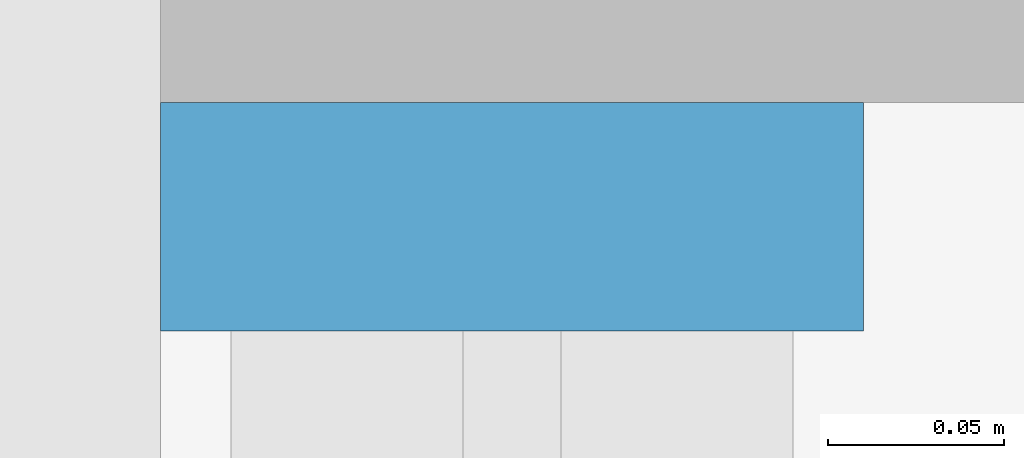
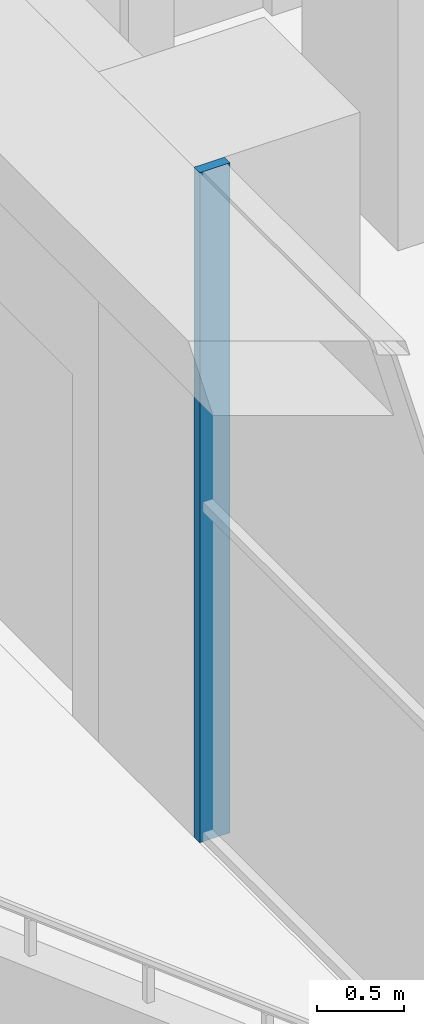
# One storey, part 5 of 16: 1 member, 1 element without a shape of its own.
"""IFC4 building model written with IfcOpenShell, lengths in metres."""

from ifc_helpers import new_model, si_unit, direction, frame, origin, origin_2d, place, context, subcontext, project, spatial, rectangle, extrude, material, material_profile, profile_set, type_object, element, aggregate, save


model = new_model("IFC4")

# Units and contexts
model_context = context("Model", 3, precision=1e-05, world=origin(), true_north=direction((0.0, 1.0)))
body_context = subcontext(model_context, "Body", "Model", "MODEL_VIEW")
ifc_project = project(units=[si_unit("LENGTHUNIT", "METRE"), si_unit("AREAUNIT", "SQUARE_METRE"), si_unit("VOLUMEUNIT", "CUBIC_METRE"), si_unit("PLANEANGLEUNIT", "RADIAN"), si_unit("MASSUNIT", "GRAM", prefix="KILO")], contexts=[model_context])

# Site, building, storey
site_placement = place(None, origin())
site = spatial("IfcSite", under=ifc_project, at=site_placement, CompositionType="ELEMENT")
building_placement = place(site_placement, origin())
building = spatial("IfcBuilding", under=site, at=building_placement, Name="Orbiselva Terraces", CompositionType="ELEMENT")
storey_placement = place(building_placement, frame((0.0, 0.0, 174.4)))
storey = spatial("IfcBuildingStorey", under=building, at=storey_placement, Name="L44", CompositionType="ELEMENT", Elevation=174.4)

# Curtain wall, member
ifc_material_1 = material(Name="Clear low-e glazing in aluminium frame", Category="aluminium")
curtain_wall_type = type_object("IfcCurtainWallType", Name="ENV-CW-SKY", PredefinedType="NOTDEFINED", material=ifc_material_1)
curtain_wall_placement = place(storey_placement, origin())
curtain_wall = element("IfcCurtainWall", 1, at=curtain_wall_placement, inside=storey, type_object=curtain_wall_type, Name="Curtain wall L44 W", PredefinedType="NOTDEFINED")
ifc_material_2 = material(Name="Anodised aluminium", Category="aluminium")
ifc_material_profile = material_profile(ifc_material_2, rectangle(XDim=0.2, YDim=0.065, at=origin_2d()), Name="AL 65x200")
ifc_profile_set = profile_set([ifc_material_profile], Name="Anodised aluminium")
member_type = type_object("IfcMemberType", Name="ENV-CW-SKY-MULLION-65x200", PredefinedType="MULLION", material=ifc_profile_set)
member_placement = place(storey_placement, frame((-22.4, 12.9175, 0.0), z_axis=(0.0, 0.0, 1.0), x_axis=(1.0, 0.0, 0.0)))
member = element("IfcMember", 2, at=member_placement, type_object=member_type, Name="CW3 mullion 1", PredefinedType="MULLION", context=body_context, shape_type="SweptSolid", body=[
    extrude(rectangle(XDim=0.2, YDim=0.065, at=origin_2d()), origin(), (0.0, 0.0, 1.0), 4.7),
])
aggregate(curtain_wall, [member])

save(model, "model.ifc")
